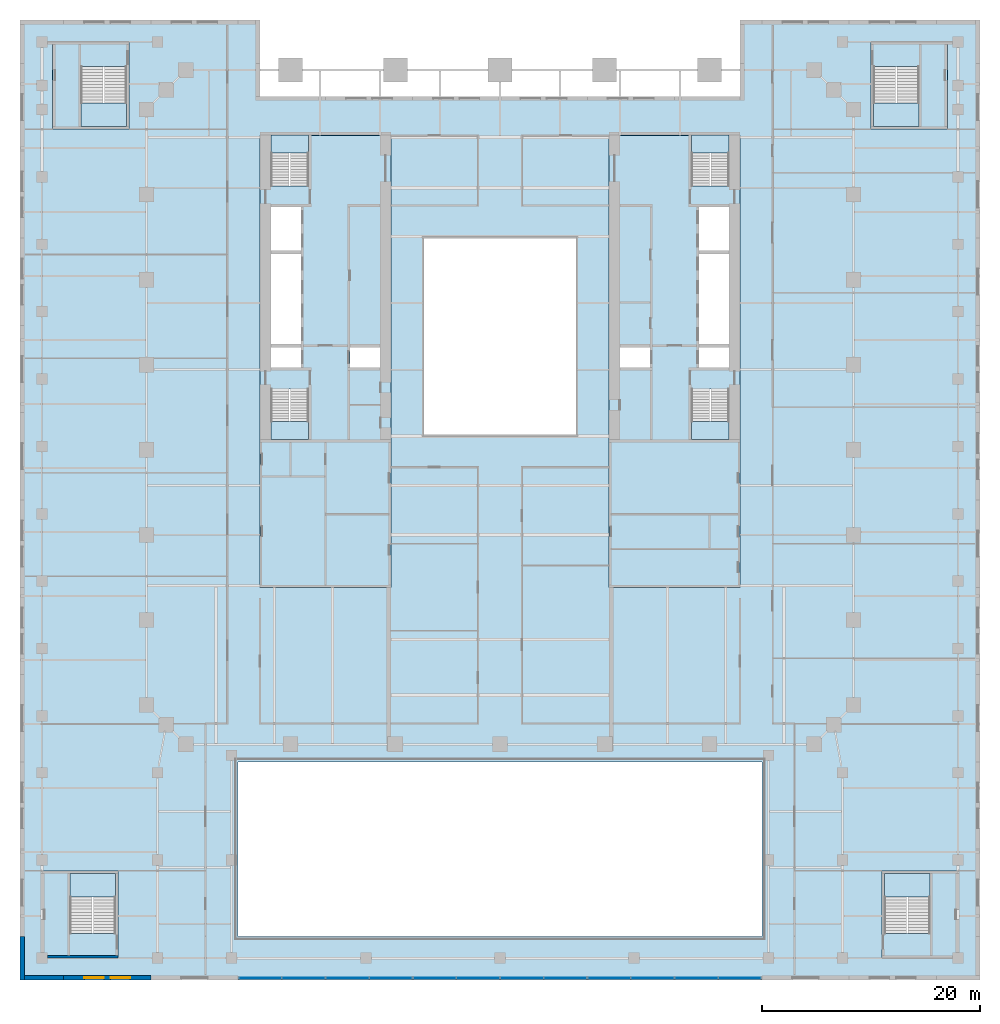
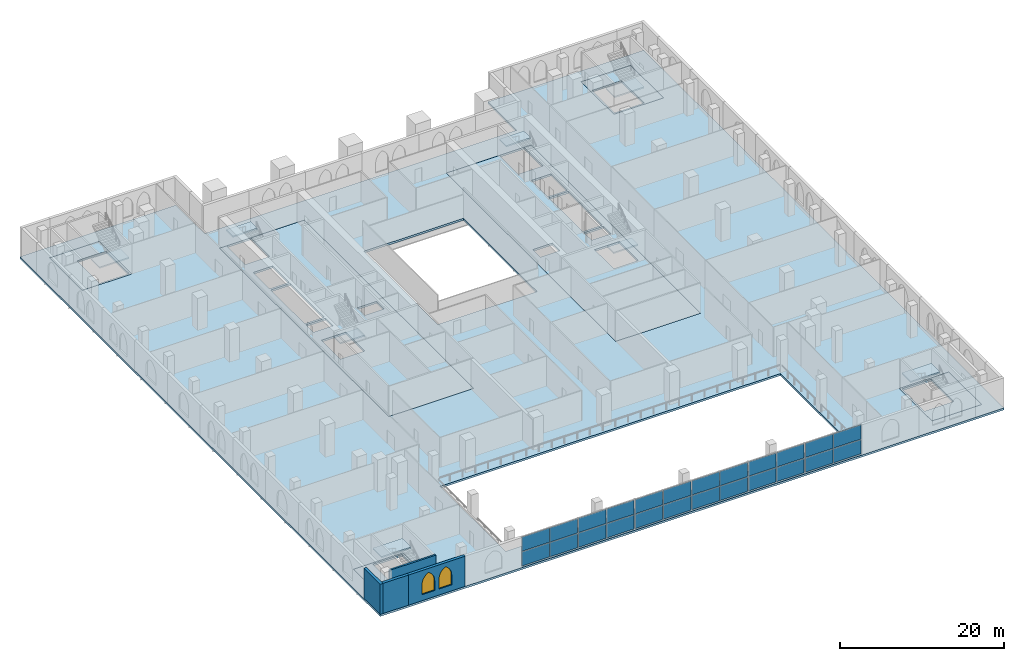
# One storey, part 7 of 19: 24 plates, 15 slabs, 4 walls, 2 windows, 2 openings, 14 elements without a shape of their own.
"""IFC4 building model written with IfcOpenShell, lengths in metres."""

from ifc_helpers import new_model, si_unit, direction, frame, frame_2d, origin, origin_2d, place, context, subcontext, project, spatial, polyline, rectangle, outline, extrude, material, layer, layer_set, type_object, element, fill, aggregate, save


model = new_model("IFC4")

# Units and contexts
model_context = context("Model", 3, precision=1e-05, world=origin(), true_north=direction((0.0, 1.0)))
body_context = subcontext(model_context, "Body", "Model", "MODEL_VIEW")
ifc_project = project(units=[si_unit("LENGTHUNIT", "METRE"), si_unit("AREAUNIT", "SQUARE_METRE"), si_unit("VOLUMEUNIT", "CUBIC_METRE"), si_unit("PLANEANGLEUNIT", "RADIAN"), si_unit("MASSUNIT", "GRAM", prefix="KILO")], contexts=[model_context])

# Site, building, storey
site_placement = place(None, origin())
site = spatial("IfcSite", under=ifc_project, at=site_placement, CompositionType="ELEMENT")
building_placement = place(site_placement, origin())
building = spatial("IfcBuilding", under=site, at=building_placement, Name="Ogive Exchange Tower", CompositionType="ELEMENT")
storey_placement = place(building_placement, frame((0.0, 0.0, 24.0)))
storey = spatial("IfcBuildingStorey", under=building, at=storey_placement, Name="L04", CompositionType="ELEMENT", Elevation=24.0)

# Slabs
ifc_material_1 = material(Name="Concrete C50/60", Category="concrete")
ifc_layer_1 = layer(ifc_material_1, 0.300048828125)
ifc_layer_set_1 = layer_set([ifc_layer_1], Name="Composite floor slab 300")
slab_type_1 = type_object("IfcSlabType", Name="Composite floor slab 300", PredefinedType="FLOOR", material=ifc_layer_set_1)
slab_1_placement = place(storey_placement, frame((0.0, 0.0, -0.300048828125)))
element("IfcSlab", 1, at=slab_1_placement, inside=storey, type_object=slab_type_1, Name="Composite floor slab", PredefinedType="FLOOR", context=body_context, shape_type="SweptSolid", body=[
    extrude(outline(polyline([(44.0, -52.0), (-44.0, -52.0), (-44.0, 36.0), (-22.0, 36.0), (-22.0, 29.0), (22.0, 29.0), (22.0, 36.0), (44.0, 36.0), (44.0, -52.0)]), holes=[polyline([(-42.0, -42.0), (-42.0, -50.0), (-35.0, -50.0), (-35.0, -42.0), (-42.0, -42.0)]), polyline([(35.0, -42.0), (35.0, -50.0), (42.0, -50.0), (42.0, -42.0), (35.0, -42.0)]), polyline([(-24.0, -32.0), (-24.0, -48.0), (24.0, -48.0), (24.0, -32.0), (-24.0, -32.0)]), polyline([(-22.0, 25.39990234375), (-22.0, -16.0), (-10.0, -16.0), (-10.0, 25.39990234375), (-22.0, 25.39990234375)]), polyline([(10.0, 25.39990234375), (10.0, -16.0), (22.0, -16.0), (22.0, 25.39990234375), (10.0, 25.39990234375)]), polyline([(-7.0, 16.0), (-7.0, -2.0), (7.0, -2.0), (7.0, 16.0), (-7.0, 16.0)]), polyline([(-41.0, 34.0), (-41.0, 26.0), (-34.0, 26.0), (-34.0, 34.0), (-41.0, 34.0)]), polyline([(34.0, 34.0), (34.0, 26.0), (41.0, 26.0), (41.0, 34.0), (34.0, 34.0)])]), origin(), (0.0, 0.0, 1.0), 0.300048828125),
])
ifc_material_2 = material(Name="Concrete C70/85", Category="concrete")
ifc_layer_2 = layer(ifc_material_2, 0.300048828125)
ifc_layer_set_2 = layer_set([ifc_layer_2], Name="Core floor slab 300")
slab_type_2 = type_object("IfcSlabType", Name="Core floor slab 300", PredefinedType="FLOOR", material=ifc_layer_set_2)
slab_2_placement = place(storey_placement, frame((0.0, 0.0, -0.300048828125)))
element("IfcSlab", 2, at=slab_2_placement, inside=storey, type_object=slab_type_2, Name="Core floor slab", PredefinedType="FLOOR", context=body_context, shape_type="SweptSolid", body=[
    extrude(outline(polyline([(-10.0, 25.39990234375), (-10.0, -16.0), (-22.0, -16.0), (-22.0, 25.39990234375), (-21.0, 25.39990234375), (-21.0, 20.803955078125), (-17.550048828125, 20.803955078125), (-17.550048828125, 25.39990234375), (-10.0, 25.39990234375)]), holes=[polyline([(-17.550048828125, 2.196044921875), (-21.0, 2.196044921875), (-21.0, -2.449951171875), (-17.550048828125, -2.449951171875), (-17.550048828125, 2.196044921875)]), polyline([(-18.25, 5.992919921875), (-21.0, 5.992919921875), (-21.0, 4.14990234375), (-18.25, 4.14990234375), (-18.25, 5.992919921875)]), polyline([(-11.0, 5.992919921875), (-13.75, 5.992919921875), (-13.75, 4.14990234375), (-11.0, 4.14990234375), (-11.0, 5.992919921875)]), polyline([(-21.0, 14.564208984375), (-21.0, 6.29296875), (-18.25, 6.29296875), (-18.25, 14.564208984375), (-21.0, 14.564208984375)]), polyline([(-18.25, 18.85009765625), (-21.0, 18.85009765625), (-21.0, 14.8642578125), (-18.25, 14.8642578125), (-18.25, 18.85009765625)])]), origin(), (0.0, 0.0, 1.0), 0.300048828125),
])
slab_3_placement = place(storey_placement, frame((0.0, 0.0, -0.300048828125)))
element("IfcSlab", 3, at=slab_3_placement, inside=storey, type_object=slab_type_2, Name="Core floor slab", PredefinedType="FLOOR", context=body_context, shape_type="SweptSolid", body=[
    extrude(outline(polyline([(22.0, 25.39990234375), (22.0, -16.0), (10.0, -16.0), (10.0, 25.39990234375), (17.550048828125, 25.39990234375), (17.550048828125, 20.803955078125), (21.0, 20.803955078125), (21.0, 25.39990234375), (22.0, 25.39990234375)]), holes=[polyline([(21.0, 2.196044921875), (17.550048828125, 2.196044921875), (17.550048828125, -2.449951171875), (21.0, -2.449951171875), (21.0, 2.196044921875)]), polyline([(13.75, 5.992919921875), (11.0, 5.992919921875), (11.0, 4.14990234375), (13.75, 4.14990234375), (13.75, 5.992919921875)]), polyline([(21.0, 5.992919921875), (18.25, 5.992919921875), (18.25, 4.14990234375), (21.0, 4.14990234375), (21.0, 5.992919921875)]), polyline([(18.25, 14.564208984375), (18.25, 6.29296875), (21.0, 6.29296875), (21.0, 14.564208984375), (18.25, 14.564208984375)]), polyline([(21.0, 18.85009765625), (18.25, 18.85009765625), (18.25, 14.8642578125), (21.0, 14.8642578125), (21.0, 18.85009765625)])]), origin(), (0.0, 0.0, 1.0), 0.300048828125),
])
slab_4_placement = place(storey_placement, frame((0.0, 0.0, -0.300048828125)))
element("IfcSlab", 4, at=slab_4_placement, inside=storey, type_object=slab_type_2, Name="Core floor slab", PredefinedType="FLOOR", context=body_context, shape_type="SweptSolid", body=[
    extrude(outline(polyline([(-42.0, -50.0), (-42.0, -42.0), (-35.0, -42.0), (-35.0, -50.0), (-42.0, -50.0)]), holes=[polyline([(-35.25, -42.25), (-39.39990234375, -42.25), (-39.39990234375, -47.74609375), (-35.25, -47.74609375), (-35.25, -42.25)])]), origin(), (0.0, 0.0, 1.0), 0.300048828125),
])
slab_5_placement = place(storey_placement, frame((0.0, 0.0, -0.300048828125)))
element("IfcSlab", 5, at=slab_5_placement, inside=storey, type_object=slab_type_2, Name="Core floor slab", PredefinedType="FLOOR", context=body_context, shape_type="SweptSolid", body=[
    extrude(outline(polyline([(35.0, -50.0), (35.0, -42.0), (42.0, -42.0), (42.0, -50.0), (35.0, -50.0)]), holes=[polyline([(39.39990234375, -42.25), (35.25, -42.25), (35.25, -47.74609375), (39.39990234375, -47.74609375), (39.39990234375, -42.25)])]), origin(), (0.0, 0.0, 1.0), 0.300048828125),
])
slab_6_placement = place(storey_placement, frame((0.0, 0.0, -0.300048828125)))
element("IfcSlab", 6, at=slab_6_placement, inside=storey, type_object=slab_type_2, Name="Core floor slab", PredefinedType="FLOOR", context=body_context, shape_type="SweptSolid", body=[
    extrude(outline(polyline([(-41.0, 26.0), (-41.0, 34.0), (-34.0, 34.0), (-34.0, 26.0), (-41.0, 26.0)]), holes=[polyline([(-38.39990234375, 26.25), (-34.25, 26.25), (-34.25, 31.74609375), (-38.39990234375, 31.74609375), (-38.39990234375, 26.25)])]), origin(), (0.0, 0.0, 1.0), 0.300048828125),
])
slab_7_placement = place(storey_placement, frame((0.0, 0.0, -0.300048828125)))
element("IfcSlab", 7, at=slab_7_placement, inside=storey, type_object=slab_type_2, Name="Core floor slab", PredefinedType="FLOOR", context=body_context, shape_type="SweptSolid", body=[
    extrude(outline(polyline([(34.0, 26.0), (34.0, 34.0), (41.0, 34.0), (41.0, 26.0), (34.0, 26.0)]), holes=[polyline([(34.25, 26.25), (38.39990234375, 26.25), (38.39990234375, 31.74609375), (34.25, 31.74609375), (34.25, 26.25)])]), origin(), (0.0, 0.0, 1.0), 0.300048828125),
])

# Curtain wall, plates
ifc_material_3 = material(Name="Anodised aluminium and clear glass", Category="aluminium")
curtain_wall_type = type_object("IfcCurtainWallType", Name="Galleria end wall glazing", PredefinedType="NOTDEFINED", material=ifc_material_3)
curtain_wall_1_placement = place(storey_placement, origin())
curtain_wall_1 = element("IfcCurtainWall", 8, at=curtain_wall_1_placement, inside=storey, type_object=curtain_wall_type, Name="Galleria end wall glazing run GE4", PredefinedType="NOTDEFINED")
ifc_material_4 = material(Name="Clear glass", Category="glass")
ifc_layer_3 = layer(ifc_material_4, 0.0400390625)
ifc_layer_set_3 = layer_set([ifc_layer_3], Name="Laminated clear glass panel 40")
plate_type = type_object("IfcPlateType", Name="Laminated clear glass panel 40", PredefinedType="CURTAIN_PANEL", material=ifc_layer_set_3)
plate_1_placement = place(storey_placement, frame((-21.97998046875, -51.800048828125, 0.080078125), z_axis=(0.0, 0.0, 1.0), x_axis=(1.0, 0.0, 0.0)))
plate_1 = element("IfcPlate", 9, at=plate_1_placement, type_object=plate_type, Name="GE4 panel 1.1", PredefinedType="CURTAIN_PANEL", context=body_context, shape_type="SweptSolid", body=[
    extrude(rectangle(XDim=3.8798828125, YDim=0.0400390625, at=origin_2d()), origin(), (0.0, 0.0, 1.0), 2.1298828125),
])
plate_2_placement = place(storey_placement, frame((-21.97998046875, -51.800048828125, 2.2900390625), z_axis=(0.0, 0.0, 1.0), x_axis=(1.0, 0.0, 0.0)))
plate_2 = element("IfcPlate", 10, at=plate_2_placement, type_object=plate_type, Name="GE4 panel 1.2", PredefinedType="CURTAIN_PANEL", context=body_context, shape_type="SweptSolid", body=[
    extrude(rectangle(XDim=3.8798828125, YDim=0.0400390625, at=origin_2d()), origin(), (0.0, 0.0, 1.0), 2.1298828125),
])
plate_3_placement = place(storey_placement, frame((-18.02001953125, -51.800048828125, 0.080078125), z_axis=(0.0, 0.0, 1.0), x_axis=(1.0, 0.0, 0.0)))
plate_3 = element("IfcPlate", 11, at=plate_3_placement, type_object=plate_type, Name="GE4 panel 2.1", PredefinedType="CURTAIN_PANEL", context=body_context, shape_type="SweptSolid", body=[
    extrude(rectangle(XDim=3.8798828125, YDim=0.0400390625, at=origin_2d()), origin(), (0.0, 0.0, 1.0), 2.1298828125),
])
plate_4_placement = place(storey_placement, frame((-18.02001953125, -51.800048828125, 2.2900390625), z_axis=(0.0, 0.0, 1.0), x_axis=(1.0, 0.0, 0.0)))
plate_4 = element("IfcPlate", 12, at=plate_4_placement, type_object=plate_type, Name="GE4 panel 2.2", PredefinedType="CURTAIN_PANEL", context=body_context, shape_type="SweptSolid", body=[
    extrude(rectangle(XDim=3.8798828125, YDim=0.0400390625, at=origin_2d()), origin(), (0.0, 0.0, 1.0), 2.1298828125),
])
aggregate(curtain_wall_1, [plate_1, plate_2, plate_3, plate_4])

curtain_wall_2_placement = place(storey_placement, origin())
curtain_wall_2 = element("IfcCurtainWall", 13, at=curtain_wall_2_placement, inside=storey, type_object=curtain_wall_type, Name="Galleria end wall glazing run GE5", PredefinedType="NOTDEFINED")
plate_5_placement = place(storey_placement, frame((-13.97998046875, -51.800048828125, 0.080078125), z_axis=(0.0, 0.0, 1.0), x_axis=(1.0, 0.0, 0.0)))
plate_5 = element("IfcPlate", 14, at=plate_5_placement, type_object=plate_type, Name="GE5 panel 1.1", PredefinedType="CURTAIN_PANEL", context=body_context, shape_type="SweptSolid", body=[
    extrude(rectangle(XDim=3.8798828125, YDim=0.0400390625, at=origin_2d()), origin(), (0.0, 0.0, 1.0), 2.1298828125),
])
plate_6_placement = place(storey_placement, frame((-13.97998046875, -51.800048828125, 2.2900390625), z_axis=(0.0, 0.0, 1.0), x_axis=(1.0, 0.0, 0.0)))
plate_6 = element("IfcPlate", 15, at=plate_6_placement, type_object=plate_type, Name="GE5 panel 1.2", PredefinedType="CURTAIN_PANEL", context=body_context, shape_type="SweptSolid", body=[
    extrude(rectangle(XDim=3.8798828125, YDim=0.0400390625, at=origin_2d()), origin(), (0.0, 0.0, 1.0), 2.1298828125),
])
plate_7_placement = place(storey_placement, frame((-10.02001953125, -51.800048828125, 0.080078125), z_axis=(0.0, 0.0, 1.0), x_axis=(1.0, 0.0, 0.0)))
plate_7 = element("IfcPlate", 16, at=plate_7_placement, type_object=plate_type, Name="GE5 panel 2.1", PredefinedType="CURTAIN_PANEL", context=body_context, shape_type="SweptSolid", body=[
    extrude(rectangle(XDim=3.8798828125, YDim=0.0400390625, at=origin_2d()), origin(), (0.0, 0.0, 1.0), 2.1298828125),
])
plate_8_placement = place(storey_placement, frame((-10.02001953125, -51.800048828125, 2.2900390625), z_axis=(0.0, 0.0, 1.0), x_axis=(1.0, 0.0, 0.0)))
plate_8 = element("IfcPlate", 17, at=plate_8_placement, type_object=plate_type, Name="GE5 panel 2.2", PredefinedType="CURTAIN_PANEL", context=body_context, shape_type="SweptSolid", body=[
    extrude(rectangle(XDim=3.8798828125, YDim=0.0400390625, at=origin_2d()), origin(), (0.0, 0.0, 1.0), 2.1298828125),
])
aggregate(curtain_wall_2, [plate_5, plate_6, plate_7, plate_8])

curtain_wall_3_placement = place(storey_placement, origin())
curtain_wall_3 = element("IfcCurtainWall", 18, at=curtain_wall_3_placement, inside=storey, type_object=curtain_wall_type, Name="Galleria end wall glazing run GE6", PredefinedType="NOTDEFINED")
plate_9_placement = place(storey_placement, frame((-5.97998046875, -51.800048828125, 0.080078125), z_axis=(0.0, 0.0, 1.0), x_axis=(1.0, 0.0, 0.0)))
plate_9 = element("IfcPlate", 19, at=plate_9_placement, type_object=plate_type, Name="GE6 panel 1.1", PredefinedType="CURTAIN_PANEL", context=body_context, shape_type="SweptSolid", body=[
    extrude(rectangle(XDim=3.8798828125, YDim=0.0400390625, at=origin_2d()), origin(), (0.0, 0.0, 1.0), 2.1298828125),
])
plate_10_placement = place(storey_placement, frame((-5.97998046875, -51.800048828125, 2.2900390625), z_axis=(0.0, 0.0, 1.0), x_axis=(1.0, 0.0, 0.0)))
plate_10 = element("IfcPlate", 20, at=plate_10_placement, type_object=plate_type, Name="GE6 panel 1.2", PredefinedType="CURTAIN_PANEL", context=body_context, shape_type="SweptSolid", body=[
    extrude(rectangle(XDim=3.8798828125, YDim=0.0400390625, at=origin_2d()), origin(), (0.0, 0.0, 1.0), 2.1298828125),
])
plate_11_placement = place(storey_placement, frame((-2.02001953125, -51.800048828125, 0.080078125), z_axis=(0.0, 0.0, 1.0), x_axis=(1.0, 0.0, 0.0)))
plate_11 = element("IfcPlate", 21, at=plate_11_placement, type_object=plate_type, Name="GE6 panel 2.1", PredefinedType="CURTAIN_PANEL", context=body_context, shape_type="SweptSolid", body=[
    extrude(rectangle(XDim=3.8798828125, YDim=0.0400390625, at=origin_2d()), origin(), (0.0, 0.0, 1.0), 2.1298828125),
])
plate_12_placement = place(storey_placement, frame((-2.02001953125, -51.800048828125, 2.2900390625), z_axis=(0.0, 0.0, 1.0), x_axis=(1.0, 0.0, 0.0)))
plate_12 = element("IfcPlate", 22, at=plate_12_placement, type_object=plate_type, Name="GE6 panel 2.2", PredefinedType="CURTAIN_PANEL", context=body_context, shape_type="SweptSolid", body=[
    extrude(rectangle(XDim=3.8798828125, YDim=0.0400390625, at=origin_2d()), origin(), (0.0, 0.0, 1.0), 2.1298828125),
])
aggregate(curtain_wall_3, [plate_9, plate_10, plate_11, plate_12])

curtain_wall_4_placement = place(storey_placement, origin())
curtain_wall_4 = element("IfcCurtainWall", 23, at=curtain_wall_4_placement, inside=storey, type_object=curtain_wall_type, Name="Galleria end wall glazing run GE7", PredefinedType="NOTDEFINED")
plate_13_placement = place(storey_placement, frame((2.02001953125, -51.800048828125, 0.080078125), z_axis=(0.0, 0.0, 1.0), x_axis=(1.0, 0.0, 0.0)))
plate_13 = element("IfcPlate", 24, at=plate_13_placement, type_object=plate_type, Name="GE7 panel 1.1", PredefinedType="CURTAIN_PANEL", context=body_context, shape_type="SweptSolid", body=[
    extrude(rectangle(XDim=3.8798828125, YDim=0.0400390625, at=origin_2d()), origin(), (0.0, 0.0, 1.0), 2.1298828125),
])
plate_14_placement = place(storey_placement, frame((2.02001953125, -51.800048828125, 2.2900390625), z_axis=(0.0, 0.0, 1.0), x_axis=(1.0, 0.0, 0.0)))
plate_14 = element("IfcPlate", 25, at=plate_14_placement, type_object=plate_type, Name="GE7 panel 1.2", PredefinedType="CURTAIN_PANEL", context=body_context, shape_type="SweptSolid", body=[
    extrude(rectangle(XDim=3.8798828125, YDim=0.0400390625, at=origin_2d()), origin(), (0.0, 0.0, 1.0), 2.1298828125),
])
plate_15_placement = place(storey_placement, frame((5.97998046875, -51.800048828125, 0.080078125), z_axis=(0.0, 0.0, 1.0), x_axis=(1.0, 0.0, 0.0)))
plate_15 = element("IfcPlate", 26, at=plate_15_placement, type_object=plate_type, Name="GE7 panel 2.1", PredefinedType="CURTAIN_PANEL", context=body_context, shape_type="SweptSolid", body=[
    extrude(rectangle(XDim=3.8798828125, YDim=0.0400390625, at=origin_2d()), origin(), (0.0, 0.0, 1.0), 2.1298828125),
])
plate_16_placement = place(storey_placement, frame((5.97998046875, -51.800048828125, 2.2900390625), z_axis=(0.0, 0.0, 1.0), x_axis=(1.0, 0.0, 0.0)))
plate_16 = element("IfcPlate", 27, at=plate_16_placement, type_object=plate_type, Name="GE7 panel 2.2", PredefinedType="CURTAIN_PANEL", context=body_context, shape_type="SweptSolid", body=[
    extrude(rectangle(XDim=3.8798828125, YDim=0.0400390625, at=origin_2d()), origin(), (0.0, 0.0, 1.0), 2.1298828125),
])
aggregate(curtain_wall_4, [plate_13, plate_14, plate_15, plate_16])

curtain_wall_5_placement = place(storey_placement, origin())
curtain_wall_5 = element("IfcCurtainWall", 28, at=curtain_wall_5_placement, inside=storey, type_object=curtain_wall_type, Name="Galleria end wall glazing run GE8", PredefinedType="NOTDEFINED")
plate_17_placement = place(storey_placement, frame((10.02001953125, -51.800048828125, 0.080078125), z_axis=(0.0, 0.0, 1.0), x_axis=(1.0, 0.0, 0.0)))
plate_17 = element("IfcPlate", 29, at=plate_17_placement, type_object=plate_type, Name="GE8 panel 1.1", PredefinedType="CURTAIN_PANEL", context=body_context, shape_type="SweptSolid", body=[
    extrude(rectangle(XDim=3.8798828125, YDim=0.0400390625, at=origin_2d()), origin(), (0.0, 0.0, 1.0), 2.1298828125),
])
plate_18_placement = place(storey_placement, frame((10.02001953125, -51.800048828125, 2.2900390625), z_axis=(0.0, 0.0, 1.0), x_axis=(1.0, 0.0, 0.0)))
plate_18 = element("IfcPlate", 30, at=plate_18_placement, type_object=plate_type, Name="GE8 panel 1.2", PredefinedType="CURTAIN_PANEL", context=body_context, shape_type="SweptSolid", body=[
    extrude(rectangle(XDim=3.8798828125, YDim=0.0400390625, at=origin_2d()), origin(), (0.0, 0.0, 1.0), 2.1298828125),
])
plate_19_placement = place(storey_placement, frame((13.97998046875, -51.800048828125, 0.080078125), z_axis=(0.0, 0.0, 1.0), x_axis=(1.0, 0.0, 0.0)))
plate_19 = element("IfcPlate", 31, at=plate_19_placement, type_object=plate_type, Name="GE8 panel 2.1", PredefinedType="CURTAIN_PANEL", context=body_context, shape_type="SweptSolid", body=[
    extrude(rectangle(XDim=3.8798828125, YDim=0.0400390625, at=origin_2d()), origin(), (0.0, 0.0, 1.0), 2.1298828125),
])
plate_20_placement = place(storey_placement, frame((13.97998046875, -51.800048828125, 2.2900390625), z_axis=(0.0, 0.0, 1.0), x_axis=(1.0, 0.0, 0.0)))
plate_20 = element("IfcPlate", 32, at=plate_20_placement, type_object=plate_type, Name="GE8 panel 2.2", PredefinedType="CURTAIN_PANEL", context=body_context, shape_type="SweptSolid", body=[
    extrude(rectangle(XDim=3.8798828125, YDim=0.0400390625, at=origin_2d()), origin(), (0.0, 0.0, 1.0), 2.1298828125),
])
aggregate(curtain_wall_5, [plate_17, plate_18, plate_19, plate_20])

curtain_wall_6_placement = place(storey_placement, origin())
curtain_wall_6 = element("IfcCurtainWall", 33, at=curtain_wall_6_placement, inside=storey, type_object=curtain_wall_type, Name="Galleria end wall glazing run GE9", PredefinedType="NOTDEFINED")
plate_21_placement = place(storey_placement, frame((18.02001953125, -51.800048828125, 0.080078125), z_axis=(0.0, 0.0, 1.0), x_axis=(1.0, 0.0, 0.0)))
plate_21 = element("IfcPlate", 34, at=plate_21_placement, type_object=plate_type, Name="GE9 panel 1.1", PredefinedType="CURTAIN_PANEL", context=body_context, shape_type="SweptSolid", body=[
    extrude(rectangle(XDim=3.8798828125, YDim=0.0400390625, at=origin_2d()), origin(), (0.0, 0.0, 1.0), 2.1298828125),
])
plate_22_placement = place(storey_placement, frame((18.02001953125, -51.800048828125, 2.2900390625), z_axis=(0.0, 0.0, 1.0), x_axis=(1.0, 0.0, 0.0)))
plate_22 = element("IfcPlate", 35, at=plate_22_placement, type_object=plate_type, Name="GE9 panel 1.2", PredefinedType="CURTAIN_PANEL", context=body_context, shape_type="SweptSolid", body=[
    extrude(rectangle(XDim=3.8798828125, YDim=0.0400390625, at=origin_2d()), origin(), (0.0, 0.0, 1.0), 2.1298828125),
])
plate_23_placement = place(storey_placement, frame((21.97998046875, -51.800048828125, 0.080078125), z_axis=(0.0, 0.0, 1.0), x_axis=(1.0, 0.0, 0.0)))
plate_23 = element("IfcPlate", 36, at=plate_23_placement, type_object=plate_type, Name="GE9 panel 2.1", PredefinedType="CURTAIN_PANEL", context=body_context, shape_type="SweptSolid", body=[
    extrude(rectangle(XDim=3.8798828125, YDim=0.0400390625, at=origin_2d()), origin(), (0.0, 0.0, 1.0), 2.1298828125),
])
plate_24_placement = place(storey_placement, frame((21.97998046875, -51.800048828125, 2.2900390625), z_axis=(0.0, 0.0, 1.0), x_axis=(1.0, 0.0, 0.0)))
plate_24 = element("IfcPlate", 37, at=plate_24_placement, type_object=plate_type, Name="GE9 panel 2.2", PredefinedType="CURTAIN_PANEL", context=body_context, shape_type="SweptSolid", body=[
    extrude(rectangle(XDim=3.8798828125, YDim=0.0400390625, at=origin_2d()), origin(), (0.0, 0.0, 1.0), 2.1298828125),
])
aggregate(curtain_wall_6, [plate_21, plate_22, plate_23, plate_24])

# Stair, slab
ifc_material_5 = material(Name="Concrete C40/50", Category="concrete")
stair_type_1 = type_object("IfcStairType", Name="Exit stair 1650 wide", PredefinedType="HALF_TURN_STAIR", material=ifc_material_5)
stair_1_placement = place(storey_placement, origin())
stair_1 = element("IfcStair", 38, at=stair_1_placement, inside=storey, type_object=stair_type_1, Name="L04 exit stair ST1", PredefinedType="HALF_TURN_STAIR")
ifc_layer_4 = layer(ifc_material_5, 0.199951171875)
ifc_layer_set_4 = layer_set([ifc_layer_4], Name="Stair landing 200 slab")
slab_type_3 = type_object("IfcSlabType", Name="Stair landing 200 slab", PredefinedType="LANDING", material=ifc_layer_set_4)
slab_8_placement = place(storey_placement, frame((0.0, 0.0, 2.199951171875)))
slab_8 = element("IfcSlab", 39, at=slab_8_placement, type_object=slab_type_3, Name="ST1 landing 1", PredefinedType="LANDING", context=body_context, shape_type="SweptSolid", body=[
    extrude(outline(polyline([(-21.0, -0.800048828125), (-21.0, -2.449951171875), (-17.550048828125, -2.449951171875), (-17.550048828125, -0.800048828125), (-21.0, -0.800048828125)])), origin(), (0.0, 0.0, 1.0), 0.199951171875),
])
aggregate(stair_1, [slab_8])

stair_2_placement = place(storey_placement, origin())
stair_2 = element("IfcStair", 40, at=stair_2_placement, inside=storey, type_object=stair_type_1, Name="L04 exit stair ST2", PredefinedType="HALF_TURN_STAIR")
slab_9_placement = place(storey_placement, frame((0.0, 0.0, 2.199951171875)))
slab_9 = element("IfcSlab", 41, at=slab_9_placement, type_object=slab_type_3, Name="ST2 landing 1", PredefinedType="LANDING", context=body_context, shape_type="SweptSolid", body=[
    extrude(outline(polyline([(-17.550048828125, 23.800048828125), (-17.550048828125, 25.449951171875), (-21.0, 25.449951171875), (-21.0, 23.800048828125), (-17.550048828125, 23.800048828125)])), origin(), (0.0, 0.0, 1.0), 0.199951171875),
])
aggregate(stair_2, [slab_9])

stair_3_placement = place(storey_placement, origin())
stair_3 = element("IfcStair", 42, at=stair_3_placement, inside=storey, type_object=stair_type_1, Name="L04 exit stair ST3", PredefinedType="HALF_TURN_STAIR")
slab_10_placement = place(storey_placement, frame((0.0, 0.0, 2.199951171875)))
slab_10 = element("IfcSlab", 43, at=slab_10_placement, type_object=slab_type_3, Name="ST3 landing 1", PredefinedType="LANDING", context=body_context, shape_type="SweptSolid", body=[
    extrude(outline(polyline([(17.550048828125, -0.800048828125), (17.550048828125, -2.449951171875), (21.0, -2.449951171875), (21.0, -0.800048828125), (17.550048828125, -0.800048828125)])), origin(), (0.0, 0.0, 1.0), 0.199951171875),
])
aggregate(stair_3, [slab_10])

stair_4_placement = place(storey_placement, origin())
stair_4 = element("IfcStair", 44, at=stair_4_placement, inside=storey, type_object=stair_type_1, Name="L04 exit stair ST4", PredefinedType="HALF_TURN_STAIR")
slab_11_placement = place(storey_placement, frame((0.0, 0.0, 2.199951171875)))
slab_11 = element("IfcSlab", 45, at=slab_11_placement, type_object=slab_type_3, Name="ST4 landing 1", PredefinedType="LANDING", context=body_context, shape_type="SweptSolid", body=[
    extrude(outline(polyline([(21.0, 23.800048828125), (21.0, 25.449951171875), (17.550048828125, 25.449951171875), (17.550048828125, 23.800048828125), (21.0, 23.800048828125)])), origin(), (0.0, 0.0, 1.0), 0.199951171875),
])
aggregate(stair_4, [slab_11])

stair_type_2 = type_object("IfcStairType", Name="Exit stair 2000 wide", PredefinedType="HALF_TURN_STAIR", material=ifc_material_5)
stair_5_placement = place(storey_placement, origin())
stair_5 = element("IfcStair", 46, at=stair_5_placement, inside=storey, type_object=stair_type_2, Name="L04 exit stair PS1", PredefinedType="HALF_TURN_STAIR")
slab_12_placement = place(storey_placement, frame((0.0, 0.0, 2.199951171875)))
slab_12 = element("IfcSlab", 47, at=slab_12_placement, type_object=slab_type_3, Name="PS1 landing 1", PredefinedType="LANDING", context=body_context, shape_type="SweptSolid", body=[
    extrude(outline(polyline([(-35.25, -44.389892578125), (-35.25, -42.25), (-39.39990234375, -42.25), (-39.39990234375, -44.389892578125), (-35.25, -44.389892578125)])), origin(), (0.0, 0.0, 1.0), 0.199951171875),
])
aggregate(stair_5, [slab_12])

stair_6_placement = place(storey_placement, origin())
stair_6 = element("IfcStair", 48, at=stair_6_placement, inside=storey, type_object=stair_type_2, Name="L04 exit stair PS2", PredefinedType="HALF_TURN_STAIR")
slab_13_placement = place(storey_placement, frame((0.0, 0.0, 2.199951171875)))
slab_13 = element("IfcSlab", 49, at=slab_13_placement, type_object=slab_type_3, Name="PS2 landing 1", PredefinedType="LANDING", context=body_context, shape_type="SweptSolid", body=[
    extrude(outline(polyline([(39.39990234375, -44.389892578125), (39.39990234375, -42.25), (35.25, -42.25), (35.25, -44.389892578125), (39.39990234375, -44.389892578125)])), origin(), (0.0, 0.0, 1.0), 0.199951171875),
])
aggregate(stair_6, [slab_13])

stair_7_placement = place(storey_placement, origin())
stair_7 = element("IfcStair", 50, at=stair_7_placement, inside=storey, type_object=stair_type_2, Name="L04 exit stair PS3", PredefinedType="HALF_TURN_STAIR")
slab_14_placement = place(storey_placement, frame((0.0, 0.0, 2.199951171875)))
slab_14 = element("IfcSlab", 51, at=slab_14_placement, type_object=slab_type_3, Name="PS3 landing 1", PredefinedType="LANDING", context=body_context, shape_type="SweptSolid", body=[
    extrude(outline(polyline([(-38.39990234375, 28.389892578125), (-38.39990234375, 26.25), (-34.25, 26.25), (-34.25, 28.389892578125), (-38.39990234375, 28.389892578125)])), origin(), (0.0, 0.0, 1.0), 0.199951171875),
])
aggregate(stair_7, [slab_14])

stair_8_placement = place(storey_placement, origin())
stair_8 = element("IfcStair", 52, at=stair_8_placement, inside=storey, type_object=stair_type_2, Name="L04 exit stair PS4", PredefinedType="HALF_TURN_STAIR")
slab_15_placement = place(storey_placement, frame((0.0, 0.0, 2.199951171875)))
slab_15 = element("IfcSlab", 53, at=slab_15_placement, type_object=slab_type_3, Name="PS4 landing 1", PredefinedType="LANDING", context=body_context, shape_type="SweptSolid", body=[
    extrude(outline(polyline([(34.25, 28.389892578125), (34.25, 26.25), (38.39990234375, 26.25), (38.39990234375, 28.389892578125), (34.25, 28.389892578125)])), origin(), (0.0, 0.0, 1.0), 0.199951171875),
])
aggregate(stair_8, [slab_15])

# Wall
ifc_material_6 = material(Name="Precast concrete C40/50", Category="concrete")
ifc_layer_5 = layer(ifc_material_6, 0.39990234375)
ifc_layer_set_5 = layer_set([ifc_layer_5], Name="Limestone-faced wall 400")
wall_type_1 = type_object("IfcWallType", Name="Limestone-faced wall 400", PredefinedType="STANDARD", material=ifc_layer_set_5)
wall_1_placement = place(storey_placement, frame((-43.60009765625, -51.800048828125, 0.0), z_axis=(0.0, 0.0, 1.0), x_axis=(1.0, 0.0, 0.0)))
element("IfcWall", 54, at=wall_1_placement, inside=storey, type_object=wall_type_1, Name="Podium wall S1", PredefinedType="STANDARD", context=body_context, shape_type="SweptSolid", body=[
    extrude(rectangle(XDim=3.60009765625, YDim=0.39990234375, at=frame_2d((1.800048828125, 0.0))), origin(), (0.0, 0.0, 1.0), 4.5),
])

# Wall, openings, windows
wall_2_placement = place(storey_placement, frame((-40.0, -51.800048828125, 0.0), z_axis=(0.0, 0.0, 1.0), x_axis=(1.0, 0.0, 0.0)))
wall_2 = element("IfcWall", 55, at=wall_2_placement, inside=storey, type_object=wall_type_1, Name="Podium wall S2", PredefinedType="STANDARD", context=body_context, shape_type="SweptSolid", body=[
    extrude(rectangle(XDim=8.0, YDim=0.39990234375, at=frame_2d((4.0, 0.0))), origin(), (0.0, 0.0, 1.0), 4.5),
])
opening_1_placement = place(wall_2_placement, frame((1.89990234375, 0.0, 0.89990234375)))
opening_1 = element("IfcOpeningElement", 56, at=opening_1_placement, cuts=wall_2, Name="Opening WQ300", PredefinedType="OPENING", context=body_context, shape_type="SweptSolid", body=[
    extrude(outline(polyline([(0.0, 0.0), (1.800048828125, 0.0), (1.800048828125, 1.5), (1.78466796875, 1.72900390625), (1.73828125, 1.953857421875), (1.662353515625, 2.17041015625), (1.557861328125, 2.374755859375), (1.4267578125, 2.56298828125), (1.271484375, 2.73193359375), (1.0947265625, 2.878662109375), (0.89990234375, 3.0), (0.705322265625, 2.878662109375), (0.528564453125, 2.73193359375), (0.373291015625, 2.56298828125), (0.2421875, 2.374755859375), (0.1376953125, 2.17041015625), (0.061767578125, 1.953857421875), (0.015380859375, 1.72900390625), (0.0, 1.5), (0.0, 0.0)])), frame((0.0, 0.2099609375, 0.0), z_axis=(0.0, -1.0, 0.0), x_axis=(1.0, 0.0, 0.0)), (0.0, 0.0, 1.0), 0.419921875),
])
opening_2_placement = place(wall_2_placement, frame((4.300048828125, 0.0, 0.89990234375)))
opening_2 = element("IfcOpeningElement", 57, at=opening_2_placement, cuts=wall_2, Name="Opening WQ300", PredefinedType="OPENING", context=body_context, shape_type="SweptSolid", body=[
    extrude(outline(polyline([(0.0, 0.0), (1.800048828125, 0.0), (1.800048828125, 1.5), (1.78466796875, 1.72900390625), (1.73828125, 1.953857421875), (1.662353515625, 2.17041015625), (1.557861328125, 2.374755859375), (1.4267578125, 2.56298828125), (1.271484375, 2.73193359375), (1.0947265625, 2.878662109375), (0.89990234375, 3.0), (0.705322265625, 2.878662109375), (0.528564453125, 2.73193359375), (0.373291015625, 2.56298828125), (0.2421875, 2.374755859375), (0.1376953125, 2.17041015625), (0.061767578125, 1.953857421875), (0.015380859375, 1.72900390625), (0.0, 1.5), (0.0, 0.0)])), frame((0.0, 0.2099609375, 0.0), z_axis=(0.0, -1.0, 0.0), x_axis=(1.0, 0.0, 0.0)), (0.0, 0.0, 1.0), 0.419921875),
])
ifc_material_7 = material(Name="Clear glass in bronze frame", Category="glass")
window_type = type_object("IfcWindowType", Name="Podium paired lancet 1800 x 3000", PartitioningType="DOUBLE_PANEL_VERTICAL", PredefinedType="WINDOW", material=ifc_material_7)
window_1_placement = place(opening_1_placement, origin())
window_1 = element("IfcWindow", 58, at=window_1_placement, inside=storey, type_object=window_type, Name="Podium paired lancet S2.1", OverallHeight=3.0, OverallWidth=1.800048828125, PartitioningType="DOUBLE_PANEL_VERTICAL", PredefinedType="WINDOW", context=body_context, shape_type="SweptSolid", body=[
    extrude(outline(polyline([(0.0, 0.0), (1.800048828125, 0.0), (1.800048828125, 1.5), (1.78466796875, 1.72900390625), (1.73828125, 1.953857421875), (1.662353515625, 2.17041015625), (1.557861328125, 2.374755859375), (1.4267578125, 2.56298828125), (1.271484375, 2.73193359375), (1.0947265625, 2.878662109375), (0.89990234375, 3.0), (0.705322265625, 2.878662109375), (0.528564453125, 2.73193359375), (0.373291015625, 2.56298828125), (0.2421875, 2.374755859375), (0.1376953125, 2.17041015625), (0.061767578125, 1.953857421875), (0.015380859375, 1.72900390625), (0.0, 1.5), (0.0, 0.0)])), frame((0.0, 0.030029296875, 0.0), z_axis=(0.0, -1.0, 0.0), x_axis=(1.0, 0.0, 0.0)), (0.0, 0.0, 1.0), 0.06005859375),
])
fill(opening_1, window_1)
window_2_placement = place(opening_2_placement, origin())
window_2 = element("IfcWindow", 59, at=window_2_placement, inside=storey, type_object=window_type, Name="Podium paired lancet S2.2", OverallHeight=3.0, OverallWidth=1.800048828125, PartitioningType="DOUBLE_PANEL_VERTICAL", PredefinedType="WINDOW", context=body_context, shape_type="SweptSolid", body=[
    extrude(outline(polyline([(0.0, 0.0), (1.800048828125, 0.0), (1.800048828125, 1.5), (1.78466796875, 1.72900390625), (1.73828125, 1.953857421875), (1.662353515625, 2.17041015625), (1.557861328125, 2.374755859375), (1.4267578125, 2.56298828125), (1.271484375, 2.73193359375), (1.0947265625, 2.878662109375), (0.89990234375, 3.0), (0.705322265625, 2.878662109375), (0.528564453125, 2.73193359375), (0.373291015625, 2.56298828125), (0.2421875, 2.374755859375), (0.1376953125, 2.17041015625), (0.061767578125, 1.953857421875), (0.015380859375, 1.72900390625), (0.0, 1.5), (0.0, 0.0)])), frame((0.0, 0.030029296875, 0.0), z_axis=(0.0, -1.0, 0.0), x_axis=(1.0, 0.0, 0.0)), (0.0, 0.0, 1.0), 0.06005859375),
])
fill(opening_2, window_2)

# Walls
wall_3_placement = place(storey_placement, frame((-43.800048828125, -48.0, 0.0), z_axis=(0.0, 0.0, 1.0), x_axis=(0.0, -1.0, 0.0)))
element("IfcWall", 60, at=wall_3_placement, inside=storey, type_object=wall_type_1, Name="Podium wall W12", PredefinedType="STANDARD", context=body_context, shape_type="SweptSolid", body=[
    extrude(rectangle(XDim=4.0, YDim=0.39990234375, at=frame_2d((2.0, 0.0))), origin(), (0.0, 0.0, 1.0), 4.5),
])
ifc_layer_6 = layer(ifc_material_2, 0.25)
ifc_layer_set_6 = layer_set([ifc_layer_6], Name="RC core wall 250 C70/85")
wall_type_2 = type_object("IfcWallType", Name="RC core wall 250 C70/85", PredefinedType="SHEAR", material=ifc_layer_set_6)
wall_4_placement = place(storey_placement, frame((-41.5, -49.875, 0.0), z_axis=(0.0, 0.0, 1.0), x_axis=(1.0, 0.0, 0.0)))
element("IfcWall", 61, at=wall_4_placement, inside=storey, type_object=wall_type_2, Name="PS1 south wall", PredefinedType="SHEAR", context=body_context, shape_type="SweptSolid", body=[
    extrude(rectangle(XDim=6.5, YDim=0.25, at=frame_2d((3.25, 0.0))), origin(), (0.0, 0.0, 1.0), 4.5),
])

save(model, "model.ifc")
